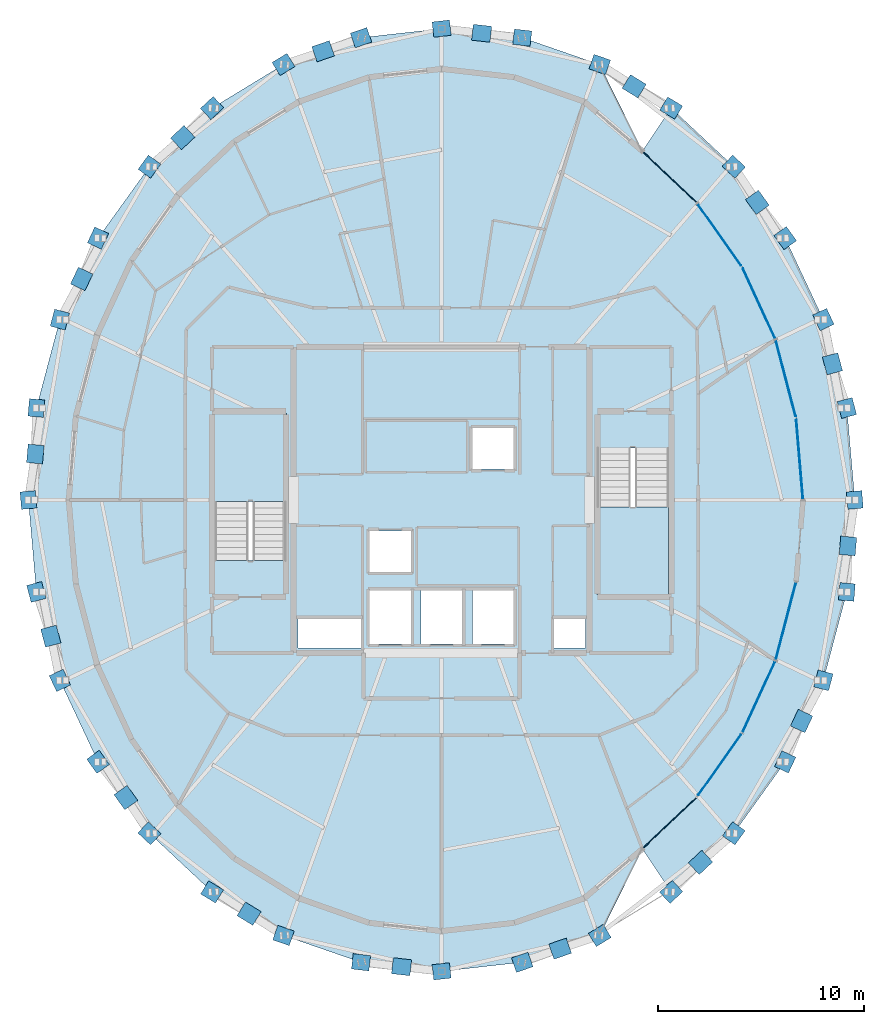
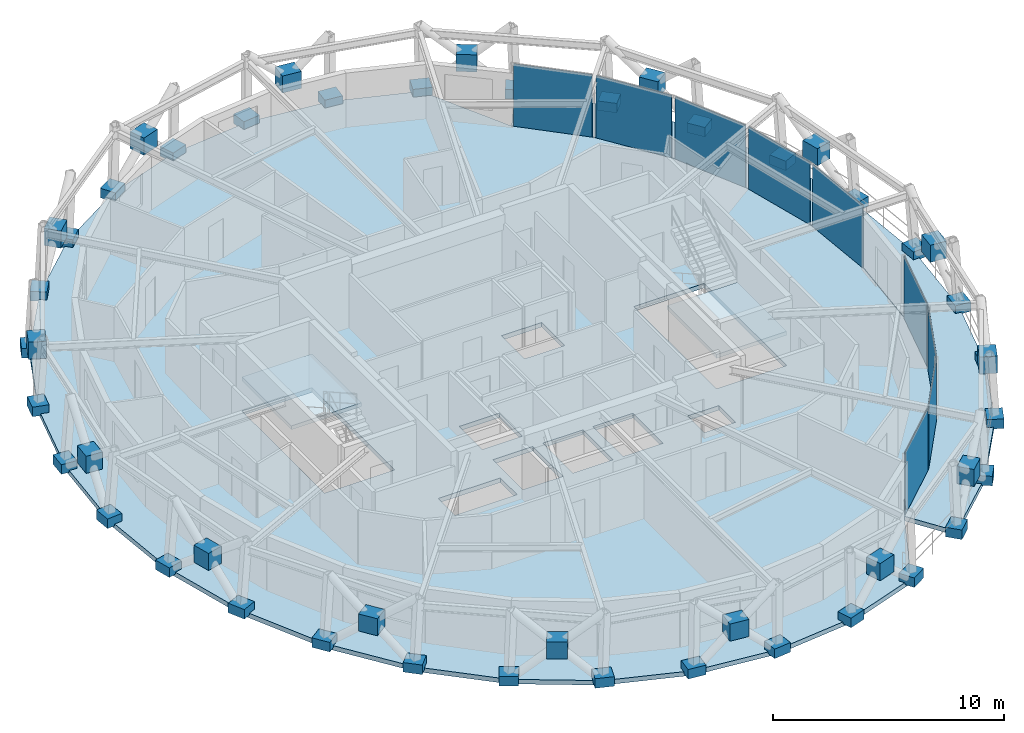
# One storey, part 11 of 17: 57 plates, 4 slabs, 4 elements without a shape of their own.
"""IFC4 building model written with IfcOpenShell, lengths in metres."""

from ifc_helpers import new_model, si_unit, direction, frame, origin, origin_2d, place, context, subcontext, project, spatial, polyline, rectangle, outline, extrude, material, layer, layer_set, type_object, element, aggregate, save


model = new_model("IFC4")

# Units and contexts
model_context = context("Model", 3, precision=1e-05, world=origin(), true_north=direction((0.0, 1.0)))
body_context = subcontext(model_context, "Body", "Model", "MODEL_VIEW")
ifc_project = project(units=[si_unit("LENGTHUNIT", "METRE"), si_unit("AREAUNIT", "SQUARE_METRE"), si_unit("VOLUMEUNIT", "CUBIC_METRE"), si_unit("PLANEANGLEUNIT", "RADIAN"), si_unit("MASSUNIT", "GRAM", prefix="KILO")], contexts=[model_context])

# Site, building, storey
site_placement = place(None, origin())
site = spatial("IfcSite", under=ifc_project, at=site_placement, CompositionType="ELEMENT")
building_placement = place(site_placement, origin())
building = spatial("IfcBuilding", under=site, at=building_placement, Name="Veldorina Hangang Commons", CompositionType="ELEMENT")
storey_placement = place(building_placement, frame((0.0, 0.0, 286.800048828125)))
storey = spatial("IfcBuildingStorey", under=building, at=storey_placement, Name="L75", CompositionType="ELEMENT", Elevation=286.800048828125)

# Curtain wall, plates
ifc_material_1 = material(Name="Glass Low-E Selective", Category="glass")
ifc_layer_1 = layer(ifc_material_1, 0.179931640625)
ifc_layer_set_1 = layer_set([ifc_layer_1], Name="Glass Low-E Selective")
curtain_wall_type = type_object("IfcCurtainWallType", Name="CW-SYS-Z3", PredefinedType="NOTDEFINED", material=ifc_layer_set_1)
curtain_wall_1_placement = place(storey_placement, origin())
curtain_wall_1 = element("IfcCurtainWall", 1, at=curtain_wall_1_placement, inside=storey, type_object=curtain_wall_type, Name="L75 unitised curtain wall CW-L75-R1", PredefinedType="NOTDEFINED")
ifc_material_2 = material(Name="Glass Low-E Triple IGU", Category="glass")
ifc_layer_2 = layer(ifc_material_2, 0.0400390625)
ifc_layer_set_2 = layer_set([ifc_layer_2], Name="Glass Low-E Triple IGU")
plate_type_1 = type_object("IfcPlateType", Name="CW-PNL-VIS", PredefinedType="CURTAIN_PANEL", material=ifc_layer_set_2)
plate_1_placement = place(storey_placement, frame((49.4169921875, 25.991455078125, 0.014892578125), z_axis=(0.0, 0.0, 1.0), x_axis=(-0.084530024615, 0.996420932608, 0.0)))
plate_1 = element("IfcPlate", 2, at=plate_1_placement, type_object=plate_type_1, Name="CW-L75-R1 facet 1 glazed vision panel", PredefinedType="CURTAIN_PANEL", context=body_context, shape_type="SweptSolid", body=[
    extrude(rectangle(XDim=3.8173828125, YDim=0.0400390625, at=origin_2d()), origin(), (0.0, 0.0, 1.0), 3.2900390625),
])
plate_2_placement = place(storey_placement, frame((48.747802734375, 29.89794921875, 0.014892578125), z_axis=(0.0, 0.0, 1.0), x_axis=(-0.25279554477, 0.967519722044, 0.0)))
plate_2 = element("IfcPlate", 3, at=plate_2_placement, type_object=plate_type_1, Name="CW-L75-R1 facet 2 glazed vision panel", PredefinedType="CURTAIN_PANEL", context=body_context, shape_type="SweptSolid", body=[
    extrude(rectangle(XDim=3.778564453125, YDim=0.0400390625, at=origin_2d()), origin(), (0.0, 0.0, 1.0), 3.2900390625),
])
plate_3_placement = place(storey_placement, frame((47.434814453125, 33.577880859375, 0.014892578125), z_axis=(0.0, 0.0, 1.0), x_axis=(-0.41823173868, 0.908340361737, 0.0)))
plate_3 = element("IfcPlate", 4, at=plate_3_placement, type_object=plate_type_1, Name="CW-L75-R1 facet 3 glazed vision panel", PredefinedType="CURTAIN_PANEL", context=body_context, shape_type="SweptSolid", body=[
    extrude(rectangle(XDim=3.705810546875, YDim=0.0400390625, at=origin_2d()), origin(), (0.0, 0.0, 1.0), 3.2900390625),
])
plate_4_placement = place(storey_placement, frame((45.528564453125, 36.8896484375, 0.014892578125), z_axis=(0.0, 0.0, 1.0), x_axis=(-0.577230705376, 0.816581112181, 0.0)))
plate_4 = element("IfcPlate", 5, at=plate_4_placement, type_object=plate_type_1, Name="CW-L75-R1 facet 4 glazed vision panel", PredefinedType="CURTAIN_PANEL", context=body_context, shape_type="SweptSolid", body=[
    extrude(rectangle(XDim=3.60888671875, YDim=0.0400390625, at=origin_2d()), origin(), (0.0, 0.0, 1.0), 3.2900390625),
])
plate_5_placement = place(storey_placement, frame((43.1025390625, 39.7060546875, 0.014892578125), z_axis=(0.0, 0.0, 1.0), x_axis=(-0.724003333978, 0.689796471714, 0.0)))
plate_5 = element("IfcPlate", 6, at=plate_5_placement, type_object=plate_type_1, Name="CW-L75-R1 facet 5 glazed vision panel", PredefinedType="CURTAIN_PANEL", context=body_context, shape_type="SweptSolid", body=[
    extrude(rectangle(XDim=3.500732421875, YDim=0.0400390625, at=origin_2d()), origin(), (0.0, 0.0, 1.0), 3.2900390625),
])
aggregate(curtain_wall_1, [plate_1, plate_2, plate_3, plate_4, plate_5])

curtain_wall_2_placement = place(storey_placement, origin())
curtain_wall_2 = element("IfcCurtainWall", 7, at=curtain_wall_2_placement, inside=storey, type_object=curtain_wall_type, Name="L75 unitised curtain wall CW-L75-R2", PredefinedType="NOTDEFINED")
plate_6_placement = place(storey_placement, frame((43.1025390625, 8.2939453125, 0.014892578125), z_axis=(0.0, 0.0, 1.0), x_axis=(0.724003333978, 0.689796471714, 0.0)))
plate_6 = element("IfcPlate", 8, at=plate_6_placement, type_object=plate_type_1, Name="CW-L75-R2 facet 1 glazed vision panel", PredefinedType="CURTAIN_PANEL", context=body_context, shape_type="SweptSolid", body=[
    extrude(rectangle(XDim=3.500732421875, YDim=0.0400390625, at=origin_2d()), origin(), (0.0, 0.0, 1.0), 3.2900390625),
])
plate_7_placement = place(storey_placement, frame((45.528564453125, 11.1103515625, 0.014892578125), z_axis=(0.0, 0.0, 1.0), x_axis=(0.577230705376, 0.816581112181, 0.0)))
plate_7 = element("IfcPlate", 9, at=plate_7_placement, type_object=plate_type_1, Name="CW-L75-R2 facet 2 glazed vision panel", PredefinedType="CURTAIN_PANEL", context=body_context, shape_type="SweptSolid", body=[
    extrude(rectangle(XDim=3.60888671875, YDim=0.0400390625, at=origin_2d()), origin(), (0.0, 0.0, 1.0), 3.2900390625),
])
plate_8_placement = place(storey_placement, frame((47.434814453125, 14.422119140625, 0.014892578125), z_axis=(0.0, 0.0, 1.0), x_axis=(0.41823173868, 0.908340361737, 0.0)))
plate_8 = element("IfcPlate", 10, at=plate_8_placement, type_object=plate_type_1, Name="CW-L75-R2 facet 3 glazed vision panel", PredefinedType="CURTAIN_PANEL", context=body_context, shape_type="SweptSolid", body=[
    extrude(rectangle(XDim=3.705810546875, YDim=0.0400390625, at=origin_2d()), origin(), (0.0, 0.0, 1.0), 3.2900390625),
])
plate_9_placement = place(storey_placement, frame((48.747802734375, 18.10205078125, 0.014892578125), z_axis=(0.0, 0.0, 1.0), x_axis=(0.25279554477, 0.967519722044, 0.0)))
plate_9 = element("IfcPlate", 11, at=plate_9_placement, type_object=plate_type_1, Name="CW-L75-R2 facet 4 glazed vision panel", PredefinedType="CURTAIN_PANEL", context=body_context, shape_type="SweptSolid", body=[
    extrude(rectangle(XDim=3.778564453125, YDim=0.0400390625, at=origin_2d()), origin(), (0.0, 0.0, 1.0), 3.2900390625),
])
aggregate(curtain_wall_2, [plate_6, plate_7, plate_8, plate_9])

# Plates
ifc_material_3 = material(Name="Steel SM460-TMC", Category="steel")
ifc_layer_3 = layer(ifc_material_3, 0.035888671875)
ifc_layer_set_3 = layer_set([ifc_layer_3], Name="Steel SM460-TMC")
plate_type_2 = type_object("IfcPlateType", Name="PL-STAR-36", PredefinedType="USERDEFINED", material=ifc_layer_set_3)
for number, where, z_axis, x_axis, name in (
    (12, (52.10595703125, 24.0, -0.090087890625), (0.0, 0.0, 1.0), (-0.086008151264, 0.996294433346, 0.0), "L75 diagrid star-node gusset plate 00"),
    (13, (51.719482421875, 28.474609375, -0.090087890625), (0.0, 0.0, 1.0), (-0.256997859093, 0.966411972412, 0.0), "L75 diagrid star-node gusset plate 01"),
):
    element("IfcPlate", number, at=place(storey_placement, frame(where, z_axis=z_axis, x_axis=x_axis)), inside=storey, type_object=plate_type_2, Name=name, ObjectType="GUSSET PLATE", PredefinedType="USERDEFINED", context=body_context, shape_type="SweptSolid", body=[
        extrude(rectangle(XDim=0.85009765625, YDim=0.75, at=origin_2d()), origin(), (0.0, 0.0, 1.0), 0.5),
    ])
plate_10_placement = place(storey_placement, frame((51.015380859375, 30.625244140625, 1.351318359375), z_axis=(0.0, 0.0, 1.0), x_axis=(-0.256997859093, 0.966411972412, 0.0)))
element("IfcPlate", 14, at=plate_10_placement, inside=storey, type_object=plate_type_2, Name="L75 diagrid X-crossing star-node gusset plate 01", ObjectType="GUSSET PLATE", PredefinedType="USERDEFINED", context=body_context, shape_type="SweptSolid", body=[
    extrude(rectangle(XDim=0.89990234375, YDim=0.780029296875, at=origin_2d()), origin(), (0.0, 0.0, 1.0), 0.89990234375),
])
for number, where, z_axis, x_axis, name in (
    (15, (50.575439453125, 32.77734375, -0.090087890625), (0.0, 0.0, 1.0), (-0.424294251362, 0.905524371986, 0.0), "L75 diagrid star-node gusset plate 02"),
    (16, (48.71728515625, 36.742919921875, -0.090087890625), (0.0, 0.0, 1.0), (-0.583980505394, 0.811767681864, 0.0), "L75 diagrid star-node gusset plate 03"),
):
    element("IfcPlate", number, at=place(storey_placement, frame(where, z_axis=z_axis, x_axis=x_axis)), inside=storey, type_object=plate_type_2, Name=name, ObjectType="GUSSET PLATE", PredefinedType="USERDEFINED", context=body_context, shape_type="SweptSolid", body=[
        extrude(rectangle(XDim=0.85009765625, YDim=0.75, at=origin_2d()), origin(), (0.0, 0.0, 1.0), 0.5),
    ])
plate_11_placement = place(storey_placement, frame((47.363037109375, 38.480712890625, 1.3544921875), z_axis=(0.0, 0.0, 1.0), x_axis=(-0.583980505394, 0.811767681864, 0.0)))
element("IfcPlate", 17, at=plate_11_placement, inside=storey, type_object=plate_type_2, Name="L75 diagrid X-crossing star-node gusset plate 03", ObjectType="GUSSET PLATE", PredefinedType="USERDEFINED", context=body_context, shape_type="SweptSolid", body=[
    extrude(rectangle(XDim=0.89990234375, YDim=0.780029296875, at=origin_2d()), origin(), (0.0, 0.0, 1.0), 0.89990234375),
])
for number, where, z_axis, x_axis, name in (
    (18, (46.217041015625, 40.218505859375, -0.090087890625), (0.0, 0.0, 1.0), (-0.730007227926, 0.683439424657, 0.0), "L75 diagrid star-node gusset plate 04"),
    (19, (43.170166015625, 43.07080078125, -0.090087890625), (0.0, 0.0, 1.0), (-0.853787136056, 0.520622249145, 0.0), "L75 diagrid star-node gusset plate 05"),
):
    element("IfcPlate", number, at=place(storey_placement, frame(where, z_axis=z_axis, x_axis=x_axis)), inside=storey, type_object=plate_type_2, Name=name, ObjectType="GUSSET PLATE", PredefinedType="USERDEFINED", context=body_context, shape_type="SweptSolid", body=[
        extrude(rectangle(XDim=0.85009765625, YDim=0.75, at=origin_2d()), origin(), (0.0, 0.0, 1.0), 0.5),
    ])
plate_12_placement = place(storey_placement, frame((41.368408203125, 44.130615234375, 1.359619140625), z_axis=(0.0, 0.0, 1.0), x_axis=(-0.853787136056, 0.520622249145, 0.0)))
element("IfcPlate", 20, at=plate_12_placement, inside=storey, type_object=plate_type_2, Name="L75 diagrid X-crossing star-node gusset plate 05", ObjectType="GUSSET PLATE", PredefinedType="USERDEFINED", context=body_context, shape_type="SweptSolid", body=[
    extrude(rectangle(XDim=0.89990234375, YDim=0.780029296875, at=origin_2d()), origin(), (0.0, 0.0, 1.0), 0.89990234375),
])
for number, where, z_axis, x_axis, name in (
    (21, (39.694091796875, 45.1904296875, -0.090087890625), (0.0, 0.0, 1.0), (-0.945017423788, 0.327019982166, 0.0), "L75 diagrid star-node gusset plate 06"),
    (22, (35.922607421875, 46.49560546875, -0.090087890625), (0.0, 0.0, 1.0), (-0.993748449026, 0.11164237573, 0.0), "L75 diagrid star-node gusset plate 07"),
):
    element("IfcPlate", number, at=place(storey_placement, frame(where, z_axis=z_axis, x_axis=x_axis)), inside=storey, type_object=plate_type_2, Name=name, ObjectType="GUSSET PLATE", PredefinedType="USERDEFINED", context=body_context, shape_type="SweptSolid", body=[
        extrude(rectangle(XDim=0.85009765625, YDim=0.75, at=origin_2d()), origin(), (0.0, 0.0, 1.0), 0.5),
    ])
plate_13_placement = place(storey_placement, frame((33.947509765625, 46.71142578125, 1.36279296875), z_axis=(0.0, 0.0, 1.0), x_axis=(-0.993748449026, 0.11164237573, 0.0)))
element("IfcPlate", 23, at=plate_13_placement, inside=storey, type_object=plate_type_2, Name="L75 diagrid X-crossing star-node gusset plate 07", ObjectType="GUSSET PLATE", PredefinedType="USERDEFINED", context=body_context, shape_type="SweptSolid", body=[
    extrude(rectangle(XDim=0.89990234375, YDim=0.780029296875, at=origin_2d()), origin(), (0.0, 0.0, 1.0), 0.89990234375),
])
for number, where, z_axis, x_axis, name in (
    (24, (32.0, 46.936279296875, -0.090087890625), (0.0, 0.0, 1.0), (-0.993748449026, -0.11164237573, 0.0), "L75 diagrid star-node gusset plate 08"),
    (25, (28.077392578125, 46.49560546875, -0.090087890625), (0.0, 0.0, 1.0), (-0.945017423788, -0.327019982166, 0.0), "L75 diagrid star-node gusset plate 09"),
):
    element("IfcPlate", number, at=place(storey_placement, frame(where, z_axis=z_axis, x_axis=x_axis)), inside=storey, type_object=plate_type_2, Name=name, ObjectType="GUSSET PLATE", PredefinedType="USERDEFINED", context=body_context, shape_type="SweptSolid", body=[
        extrude(rectangle(XDim=0.85009765625, YDim=0.75, at=origin_2d()), origin(), (0.0, 0.0, 1.0), 0.5),
    ])
plate_14_placement = place(storey_placement, frame((26.234375, 45.833251953125, 1.361572265625), z_axis=(0.0, 0.0, 1.0), x_axis=(-0.945017423788, -0.327019982166, 0.0)))
element("IfcPlate", 26, at=plate_14_placement, inside=storey, type_object=plate_type_2, Name="L75 diagrid X-crossing star-node gusset plate 09", ObjectType="GUSSET PLATE", PredefinedType="USERDEFINED", context=body_context, shape_type="SweptSolid", body=[
    extrude(rectangle(XDim=0.89990234375, YDim=0.780029296875, at=origin_2d()), origin(), (0.0, 0.0, 1.0), 0.89990234375),
])
for number, where, z_axis, x_axis, name in (
    (27, (24.305908203125, 45.1904296875, -0.090087890625), (0.0, 0.0, 1.0), (-0.853787136056, -0.520622249145, 0.0), "L75 diagrid star-node gusset plate 10"),
    (28, (20.829833984375, 43.07080078125, -0.090087890625), (0.0, 0.0, 1.0), (-0.730007227926, -0.683439424657, 0.0), "L75 diagrid star-node gusset plate 11"),
):
    element("IfcPlate", number, at=place(storey_placement, frame(where, z_axis=z_axis, x_axis=x_axis)), inside=storey, type_object=plate_type_2, Name=name, ObjectType="GUSSET PLATE", PredefinedType="USERDEFINED", context=body_context, shape_type="SweptSolid", body=[
        extrude(rectangle(XDim=0.85009765625, YDim=0.75, at=origin_2d()), origin(), (0.0, 0.0, 1.0), 0.5),
    ])
plate_15_placement = place(storey_placement, frame((19.401611328125, 41.634765625, 1.35693359375), z_axis=(0.0, 0.0, 1.0), x_axis=(-0.730007227926, -0.683439424657, 0.0)))
element("IfcPlate", 29, at=plate_15_placement, inside=storey, type_object=plate_type_2, Name="L75 diagrid X-crossing star-node gusset plate 11", ObjectType="GUSSET PLATE", PredefinedType="USERDEFINED", context=body_context, shape_type="SweptSolid", body=[
    extrude(rectangle(XDim=0.89990234375, YDim=0.780029296875, at=origin_2d()), origin(), (0.0, 0.0, 1.0), 0.89990234375),
])
for number, where, z_axis, x_axis, name in (
    (30, (17.782958984375, 40.218505859375, -0.090087890625), (0.0, 0.0, 1.0), (-0.583980505394, -0.811767681864, 0.0), "L75 diagrid star-node gusset plate 12"),
    (31, (15.28271484375, 36.742919921875, -0.090087890625), (0.0, 0.0, 1.0), (-0.424294251362, -0.905524371986, 0.0), "L75 diagrid star-node gusset plate 13"),
):
    element("IfcPlate", number, at=place(storey_placement, frame(where, z_axis=z_axis, x_axis=x_axis)), inside=storey, type_object=plate_type_2, Name=name, ObjectType="GUSSET PLATE", PredefinedType="USERDEFINED", context=body_context, shape_type="SweptSolid", body=[
        extrude(rectangle(XDim=0.85009765625, YDim=0.75, at=origin_2d()), origin(), (0.0, 0.0, 1.0), 0.5),
    ])
plate_16_placement = place(storey_placement, frame((14.48388671875, 34.7548828125, 1.352783203125), z_axis=(0.0, 0.0, 1.0), x_axis=(-0.424294251362, -0.905524371986, 0.0)))
element("IfcPlate", 32, at=plate_16_placement, inside=storey, type_object=plate_type_2, Name="L75 diagrid X-crossing star-node gusset plate 13", ObjectType="GUSSET PLATE", PredefinedType="USERDEFINED", context=body_context, shape_type="SweptSolid", body=[
    extrude(rectangle(XDim=0.89990234375, YDim=0.780029296875, at=origin_2d()), origin(), (0.0, 0.0, 1.0), 0.89990234375),
])
for number, where, z_axis, x_axis, name in (
    (33, (13.424560546875, 32.77734375, -0.090087890625), (0.0, 0.0, 1.0), (-0.256997859093, -0.966411972412, 0.0), "L75 diagrid star-node gusset plate 14"),
    (34, (12.280517578125, 28.474609375, -0.090087890625), (0.0, 0.0, 1.0), (-0.086008151264, -0.996294433346, 0.0), "L75 diagrid star-node gusset plate 15"),
):
    element("IfcPlate", number, at=place(storey_placement, frame(where, z_axis=z_axis, x_axis=x_axis)), inside=storey, type_object=plate_type_2, Name=name, ObjectType="GUSSET PLATE", PredefinedType="USERDEFINED", context=body_context, shape_type="SweptSolid", body=[
        extrude(rectangle(XDim=0.85009765625, YDim=0.75, at=origin_2d()), origin(), (0.0, 0.0, 1.0), 0.5),
    ])
plate_17_placement = place(storey_placement, frame((12.2294921875, 26.236572265625, 1.3505859375), z_axis=(0.0, 0.0, 1.0), x_axis=(-0.086008151264, -0.996294433346, 0.0)))
element("IfcPlate", 35, at=plate_17_placement, inside=storey, type_object=plate_type_2, Name="L75 diagrid X-crossing star-node gusset plate 15", ObjectType="GUSSET PLATE", PredefinedType="USERDEFINED", context=body_context, shape_type="SweptSolid", body=[
    extrude(rectangle(XDim=0.89990234375, YDim=0.780029296875, at=origin_2d()), origin(), (0.0, 0.0, 1.0), 0.89990234375),
])
for number, where, z_axis, x_axis, name in (
    (36, (11.89404296875, 24.0, -0.090087890625), (0.0, 0.0, 1.0), (0.086008151264, -0.996294433346, 0.0), "L75 diagrid star-node gusset plate 16"),
    (37, (12.280517578125, 19.525390625, -0.090087890625), (0.0, 0.0, 1.0), (0.256997859093, -0.966411972412, 0.0), "L75 diagrid star-node gusset plate 17"),
):
    element("IfcPlate", number, at=place(storey_placement, frame(where, z_axis=z_axis, x_axis=x_axis)), inside=storey, type_object=plate_type_2, Name=name, ObjectType="GUSSET PLATE", PredefinedType="USERDEFINED", context=body_context, shape_type="SweptSolid", body=[
        extrude(rectangle(XDim=0.85009765625, YDim=0.75, at=origin_2d()), origin(), (0.0, 0.0, 1.0), 0.5),
    ])
plate_18_placement = place(storey_placement, frame((12.984619140625, 17.374755859375, 1.351318359375), z_axis=(0.0, 0.0, 1.0), x_axis=(0.256997859093, -0.966411972412, 0.0)))
element("IfcPlate", 38, at=plate_18_placement, inside=storey, type_object=plate_type_2, Name="L75 diagrid X-crossing star-node gusset plate 17", ObjectType="GUSSET PLATE", PredefinedType="USERDEFINED", context=body_context, shape_type="SweptSolid", body=[
    extrude(rectangle(XDim=0.89990234375, YDim=0.780029296875, at=origin_2d()), origin(), (0.0, 0.0, 1.0), 0.89990234375),
])
for number, where, z_axis, x_axis, name in (
    (39, (13.424560546875, 15.22265625, -0.090087890625), (0.0, 0.0, 1.0), (0.424294251362, -0.905524371986, 0.0), "L75 diagrid star-node gusset plate 18"),
    (40, (15.28271484375, 11.257080078125, -0.090087890625), (0.0, 0.0, 1.0), (0.583980505394, -0.811767681864, 0.0), "L75 diagrid star-node gusset plate 19"),
):
    element("IfcPlate", number, at=place(storey_placement, frame(where, z_axis=z_axis, x_axis=x_axis)), inside=storey, type_object=plate_type_2, Name=name, ObjectType="GUSSET PLATE", PredefinedType="USERDEFINED", context=body_context, shape_type="SweptSolid", body=[
        extrude(rectangle(XDim=0.85009765625, YDim=0.75, at=origin_2d()), origin(), (0.0, 0.0, 1.0), 0.5),
    ])
plate_19_placement = place(storey_placement, frame((16.636962890625, 9.519287109375, 1.3544921875), z_axis=(0.0, 0.0, 1.0), x_axis=(0.583980505394, -0.811767681864, 0.0)))
element("IfcPlate", 41, at=plate_19_placement, inside=storey, type_object=plate_type_2, Name="L75 diagrid X-crossing star-node gusset plate 19", ObjectType="GUSSET PLATE", PredefinedType="USERDEFINED", context=body_context, shape_type="SweptSolid", body=[
    extrude(rectangle(XDim=0.89990234375, YDim=0.780029296875, at=origin_2d()), origin(), (0.0, 0.0, 1.0), 0.89990234375),
])
for number, where, z_axis, x_axis, name in (
    (42, (17.782958984375, 7.781494140625, -0.090087890625), (0.0, 0.0, 1.0), (0.730007227926, -0.683439424657, 0.0), "L75 diagrid star-node gusset plate 20"),
    (43, (20.829833984375, 4.92919921875, -0.090087890625), (0.0, 0.0, 1.0), (0.853787136056, -0.520622249145, 0.0), "L75 diagrid star-node gusset plate 21"),
):
    element("IfcPlate", number, at=place(storey_placement, frame(where, z_axis=z_axis, x_axis=x_axis)), inside=storey, type_object=plate_type_2, Name=name, ObjectType="GUSSET PLATE", PredefinedType="USERDEFINED", context=body_context, shape_type="SweptSolid", body=[
        extrude(rectangle(XDim=0.85009765625, YDim=0.75, at=origin_2d()), origin(), (0.0, 0.0, 1.0), 0.5),
    ])
plate_20_placement = place(storey_placement, frame((22.631591796875, 3.869384765625, 1.359619140625), z_axis=(0.0, 0.0, 1.0), x_axis=(0.853787136056, -0.520622249145, 0.0)))
element("IfcPlate", 44, at=plate_20_placement, inside=storey, type_object=plate_type_2, Name="L75 diagrid X-crossing star-node gusset plate 21", ObjectType="GUSSET PLATE", PredefinedType="USERDEFINED", context=body_context, shape_type="SweptSolid", body=[
    extrude(rectangle(XDim=0.89990234375, YDim=0.780029296875, at=origin_2d()), origin(), (0.0, 0.0, 1.0), 0.89990234375),
])
for number, where, z_axis, x_axis, name in (
    (45, (24.305908203125, 2.8095703125, -0.090087890625), (0.0, 0.0, 1.0), (0.945017423788, -0.327019982166, 0.0), "L75 diagrid star-node gusset plate 22"),
    (46, (28.077392578125, 1.50439453125, -0.090087890625), (0.0, 0.0, 1.0), (0.993748449026, -0.11164237573, 0.0), "L75 diagrid star-node gusset plate 23"),
):
    element("IfcPlate", number, at=place(storey_placement, frame(where, z_axis=z_axis, x_axis=x_axis)), inside=storey, type_object=plate_type_2, Name=name, ObjectType="GUSSET PLATE", PredefinedType="USERDEFINED", context=body_context, shape_type="SweptSolid", body=[
        extrude(rectangle(XDim=0.85009765625, YDim=0.75, at=origin_2d()), origin(), (0.0, 0.0, 1.0), 0.5),
    ])
plate_21_placement = place(storey_placement, frame((30.052490234375, 1.28857421875, 1.36279296875), z_axis=(0.0, 0.0, 1.0), x_axis=(0.993748449026, -0.11164237573, 0.0)))
element("IfcPlate", 47, at=plate_21_placement, inside=storey, type_object=plate_type_2, Name="L75 diagrid X-crossing star-node gusset plate 23", ObjectType="GUSSET PLATE", PredefinedType="USERDEFINED", context=body_context, shape_type="SweptSolid", body=[
    extrude(rectangle(XDim=0.89990234375, YDim=0.780029296875, at=origin_2d()), origin(), (0.0, 0.0, 1.0), 0.89990234375),
])
for number, where, z_axis, x_axis, name in (
    (48, (32.0, 1.063720703125, -0.090087890625), (0.0, 0.0, 1.0), (0.993748449026, 0.11164237573, 0.0), "L75 diagrid star-node gusset plate 24"),
    (49, (35.922607421875, 1.50439453125, -0.090087890625), (0.0, 0.0, 1.0), (0.945017423788, 0.327019982166, 0.0), "L75 diagrid star-node gusset plate 25"),
):
    element("IfcPlate", number, at=place(storey_placement, frame(where, z_axis=z_axis, x_axis=x_axis)), inside=storey, type_object=plate_type_2, Name=name, ObjectType="GUSSET PLATE", PredefinedType="USERDEFINED", context=body_context, shape_type="SweptSolid", body=[
        extrude(rectangle(XDim=0.85009765625, YDim=0.75, at=origin_2d()), origin(), (0.0, 0.0, 1.0), 0.5),
    ])
plate_22_placement = place(storey_placement, frame((37.765625, 2.166748046875, 1.361572265625), z_axis=(0.0, 0.0, 1.0), x_axis=(0.945017423788, 0.327019982166, 0.0)))
element("IfcPlate", 50, at=plate_22_placement, inside=storey, type_object=plate_type_2, Name="L75 diagrid X-crossing star-node gusset plate 25", ObjectType="GUSSET PLATE", PredefinedType="USERDEFINED", context=body_context, shape_type="SweptSolid", body=[
    extrude(rectangle(XDim=0.89990234375, YDim=0.780029296875, at=origin_2d()), origin(), (0.0, 0.0, 1.0), 0.89990234375),
])
for number, where, z_axis, x_axis, name in (
    (51, (39.694091796875, 2.8095703125, -0.090087890625), (0.0, 0.0, 1.0), (0.853787136056, 0.520622249145, 0.0), "L75 diagrid star-node gusset plate 26"),
    (52, (43.170166015625, 4.92919921875, -0.090087890625), (0.0, 0.0, 1.0), (0.730007227926, 0.683439424657, 0.0), "L75 diagrid star-node gusset plate 27"),
):
    element("IfcPlate", number, at=place(storey_placement, frame(where, z_axis=z_axis, x_axis=x_axis)), inside=storey, type_object=plate_type_2, Name=name, ObjectType="GUSSET PLATE", PredefinedType="USERDEFINED", context=body_context, shape_type="SweptSolid", body=[
        extrude(rectangle(XDim=0.85009765625, YDim=0.75, at=origin_2d()), origin(), (0.0, 0.0, 1.0), 0.5),
    ])
plate_23_placement = place(storey_placement, frame((44.598388671875, 6.365234375, 1.35693359375), z_axis=(0.0, 0.0, 1.0), x_axis=(0.730007227926, 0.683439424657, 0.0)))
element("IfcPlate", 53, at=plate_23_placement, inside=storey, type_object=plate_type_2, Name="L75 diagrid X-crossing star-node gusset plate 27", ObjectType="GUSSET PLATE", PredefinedType="USERDEFINED", context=body_context, shape_type="SweptSolid", body=[
    extrude(rectangle(XDim=0.89990234375, YDim=0.780029296875, at=origin_2d()), origin(), (0.0, 0.0, 1.0), 0.89990234375),
])
for number, where, z_axis, x_axis, name in (
    (54, (46.217041015625, 7.781494140625, -0.090087890625), (0.0, 0.0, 1.0), (0.583980505394, 0.811767681864, 0.0), "L75 diagrid star-node gusset plate 28"),
    (55, (48.71728515625, 11.257080078125, -0.090087890625), (0.0, 0.0, 1.0), (0.424294251362, 0.905524371986, 0.0), "L75 diagrid star-node gusset plate 29"),
):
    element("IfcPlate", number, at=place(storey_placement, frame(where, z_axis=z_axis, x_axis=x_axis)), inside=storey, type_object=plate_type_2, Name=name, ObjectType="GUSSET PLATE", PredefinedType="USERDEFINED", context=body_context, shape_type="SweptSolid", body=[
        extrude(rectangle(XDim=0.85009765625, YDim=0.75, at=origin_2d()), origin(), (0.0, 0.0, 1.0), 0.5),
    ])
plate_24_placement = place(storey_placement, frame((49.51611328125, 13.2451171875, 1.352783203125), z_axis=(0.0, 0.0, 1.0), x_axis=(0.424294251362, 0.905524371986, 0.0)))
element("IfcPlate", 56, at=plate_24_placement, inside=storey, type_object=plate_type_2, Name="L75 diagrid X-crossing star-node gusset plate 29", ObjectType="GUSSET PLATE", PredefinedType="USERDEFINED", context=body_context, shape_type="SweptSolid", body=[
    extrude(rectangle(XDim=0.89990234375, YDim=0.780029296875, at=origin_2d()), origin(), (0.0, 0.0, 1.0), 0.89990234375),
])
for number, where, z_axis, x_axis, name in (
    (57, (50.575439453125, 15.22265625, -0.090087890625), (0.0, 0.0, 1.0), (0.256997859093, 0.966411972412, 0.0), "L75 diagrid star-node gusset plate 30"),
    (58, (51.719482421875, 19.525390625, -0.090087890625), (0.0, 0.0, 1.0), (0.086008151264, 0.996294433346, 0.0), "L75 diagrid star-node gusset plate 31"),
):
    element("IfcPlate", number, at=place(storey_placement, frame(where, z_axis=z_axis, x_axis=x_axis)), inside=storey, type_object=plate_type_2, Name=name, ObjectType="GUSSET PLATE", PredefinedType="USERDEFINED", context=body_context, shape_type="SweptSolid", body=[
        extrude(rectangle(XDim=0.85009765625, YDim=0.75, at=origin_2d()), origin(), (0.0, 0.0, 1.0), 0.5),
    ])
plate_25_placement = place(storey_placement, frame((51.7705078125, 21.763427734375, 1.3505859375), z_axis=(0.0, 0.0, 1.0), x_axis=(0.086008151264, 0.996294433346, 0.0)))
element("IfcPlate", 59, at=plate_25_placement, inside=storey, type_object=plate_type_2, Name="L75 diagrid X-crossing star-node gusset plate 31", ObjectType="GUSSET PLATE", PredefinedType="USERDEFINED", context=body_context, shape_type="SweptSolid", body=[
    extrude(rectangle(XDim=0.89990234375, YDim=0.780029296875, at=origin_2d()), origin(), (0.0, 0.0, 1.0), 0.89990234375),
])

# Slabs
ifc_material_4 = material(Name="Concrete C40/50", Category="concrete")
ifc_layer_4 = layer(ifc_material_4, 0.239990234375)
ifc_layer_set_4 = layer_set([ifc_layer_4], Name="Concrete C40/50")
slab_type_1 = type_object("IfcSlabType", Name="SL-FLR-240", PredefinedType="FLOOR", material=ifc_layer_set_4)
slab_1_placement = place(storey_placement, frame((0.0, 0.0, -0.239990234375)))
element("IfcSlab", 60, at=slab_1_placement, inside=storey, type_object=slab_type_1, Name="L75 tower structural floor slab", PredefinedType="FLOOR", context=body_context, shape_type="SweptSolid", body=[
    extrude(outline(polyline([(49.5859375, 24.0), (49.248046875, 27.98291015625), (48.247314453125, 31.81298828125), (46.6220703125, 35.3427734375), (44.43505859375, 38.4365234375), (41.770263671875, 40.9755859375), (39.694091796875, 45.1904296875), (35.922607421875, 46.49560546875), (32.0, 46.936279296875), (28.077392578125, 46.49560546875), (24.305908203125, 45.1904296875), (20.829833984375, 43.07080078125), (17.782958984375, 40.218505859375), (15.28271484375, 36.742919921875), (13.424560546875, 32.77734375), (12.280517578125, 28.474609375), (11.89404296875, 24.0), (12.280517578125, 19.525390625), (13.424560546875, 15.22265625), (15.28271484375, 11.257080078125), (17.782958984375, 7.781494140625), (20.829833984375, 4.92919921875), (24.305908203125, 2.8095703125), (28.077392578125, 1.50439453125), (32.0, 1.063720703125), (35.922607421875, 1.50439453125), (39.694091796875, 2.8095703125), (41.770263671875, 7.0244140625), (44.43505859375, 9.5634765625), (46.6220703125, 12.6572265625), (48.247314453125, 16.18701171875), (49.248046875, 20.01708984375), (49.5859375, 24.0)]), holes=[polyline([(20.949951171875, 21.05810546875), (20.949951171875, 28.199951171875), (24.449951171875, 28.199951171875), (24.449951171875, 21.05810546875), (20.949951171875, 21.05810546875)]), polyline([(43.050048828125, 26.5419921875), (43.050048828125, 19.39990234375), (39.550048828125, 19.39990234375), (39.550048828125, 26.5419921875), (43.050048828125, 26.5419921875)]), polyline([(33.5, 27.5), (35.5, 27.5), (35.5, 25.5), (33.5, 25.5), (33.5, 27.5)]), polyline([(28.5, 22.5), (30.5, 22.5), (30.5, 20.5), (28.5, 20.5), (28.5, 22.5)]), polyline([(28.5, 19.60009765625), (30.5, 19.60009765625), (30.5, 17.0), (28.5, 17.0), (28.5, 19.60009765625)]), polyline([(31.0, 19.60009765625), (33.0, 19.60009765625), (33.0, 17.0), (31.0, 17.0), (31.0, 19.60009765625)]), polyline([(33.5, 19.60009765625), (35.5, 19.60009765625), (35.5, 17.0), (33.5, 17.0), (33.5, 19.60009765625)]), polyline([(25.0, 18.25), (28.10009765625, 18.25), (28.10009765625, 16.800048828125), (25.0, 16.800048828125), (25.0, 18.25)]), polyline([(37.449951171875, 18.25), (39.0, 18.25), (39.0, 16.800048828125), (37.449951171875, 16.800048828125), (37.449951171875, 18.25)])]), origin(), (0.0, 0.0, 1.0), 0.239990234375),
])
slab_2_placement = place(storey_placement, frame((0.0, 0.0, -0.239990234375)))
element("IfcSlab", 61, at=slab_2_placement, inside=storey, type_object=slab_type_1, Name="L75 sky-garden loggia outdoor slab", PredefinedType="FLOOR", context=body_context, shape_type="SweptSolid", body=[
    extrude(outline(polyline([(43.170166015625, 43.07080078125), (46.217041015625, 40.218505859375), (48.71728515625, 36.742919921875), (50.575439453125, 32.77734375), (51.719482421875, 28.474609375), (52.10595703125, 24.0), (51.719482421875, 19.525390625), (50.575439453125, 15.22265625), (48.71728515625, 11.257080078125), (46.217041015625, 7.781494140625), (43.170166015625, 4.92919921875), (41.77978515625, 7.010009765625), (41.782470703125, 7.015380859375), (44.4453125, 9.552490234375), (44.446533203125, 9.5537109375), (44.447265625, 9.5546875), (46.63427734375, 12.648681640625), (46.635009765625, 12.64990234375), (46.6357421875, 12.65087890625), (48.260986328125, 16.1806640625), (48.261474609375, 16.181884765625), (48.26171875, 16.18310546875), (49.262451171875, 20.01318359375), (49.2626953125, 20.014404296875), (49.262939453125, 20.015625), (49.600830078125, 23.998779296875), (49.600830078125, 24.0), (49.600830078125, 24.001220703125), (49.262939453125, 27.984375), (49.2626953125, 27.985595703125), (49.262451171875, 27.98681640625), (48.26171875, 31.81689453125), (48.261474609375, 31.818115234375), (48.260986328125, 31.8193359375), (46.6357421875, 35.34912109375), (46.635009765625, 35.35009765625), (46.63427734375, 35.351318359375), (44.447265625, 38.4453125), (44.446533203125, 38.4462890625), (44.4453125, 38.447509765625), (41.782470703125, 40.984619140625), (41.77978515625, 40.989990234375), (43.170166015625, 43.07080078125)])), origin(), (0.0, 0.0, 1.0), 0.239990234375),
])

# Stair, slab
stair_type = type_object("IfcStairType", Name="STR-DOG-1650-20R", PredefinedType="HALF_TURN_STAIR", material=ifc_material_4)
stair_1_placement = place(storey_placement, origin())
stair_1 = element("IfcStair", 62, at=stair_1_placement, inside=storey, type_object=stair_type, Name="L75 Exit stair ST-1", PredefinedType="HALF_TURN_STAIR")
ifc_layer_5 = layer(ifc_material_4, 0.199951171875)
ifc_layer_set_5 = layer_set([ifc_layer_5], Name="Concrete C40/50")
slab_type_2 = type_object("IfcSlabType", Name="SL-LND-200", PredefinedType="LANDING", material=ifc_layer_set_5)
slab_3_placement = place(storey_placement, frame((0.0, 0.0, 1.599853515625)))
slab_3 = element("IfcSlab", 63, at=slab_3_placement, type_object=slab_type_2, Name="ST-1 landing 1", PredefinedType="LANDING", context=body_context, shape_type="SweptSolid", body=[
    extrude(outline(polyline([(24.449951171875, 23.929931640625), (24.449951171875, 28.199951171875), (20.949951171875, 28.199951171875), (20.949951171875, 23.929931640625), (24.449951171875, 23.929931640625)])), origin(), (0.0, 0.0, 1.0), 0.2001953125),
])
aggregate(stair_1, [slab_3])

stair_2_placement = place(storey_placement, origin())
stair_2 = element("IfcStair", 64, at=stair_2_placement, inside=storey, type_object=stair_type, Name="L75 Exit stair ST-2", PredefinedType="HALF_TURN_STAIR")
slab_4_placement = place(storey_placement, frame((0.0, 0.0, 1.599853515625)))
slab_4 = element("IfcSlab", 65, at=slab_4_placement, type_object=slab_type_2, Name="ST-2 landing 1", PredefinedType="LANDING", context=body_context, shape_type="SweptSolid", body=[
    extrude(outline(polyline([(39.550048828125, 23.669921875), (39.550048828125, 19.39990234375), (43.050048828125, 19.39990234375), (43.050048828125, 23.669921875), (39.550048828125, 23.669921875)])), origin(), (0.0, 0.0, 1.0), 0.2001953125),
])
aggregate(stair_2, [slab_4])

save(model, "model.ifc")
